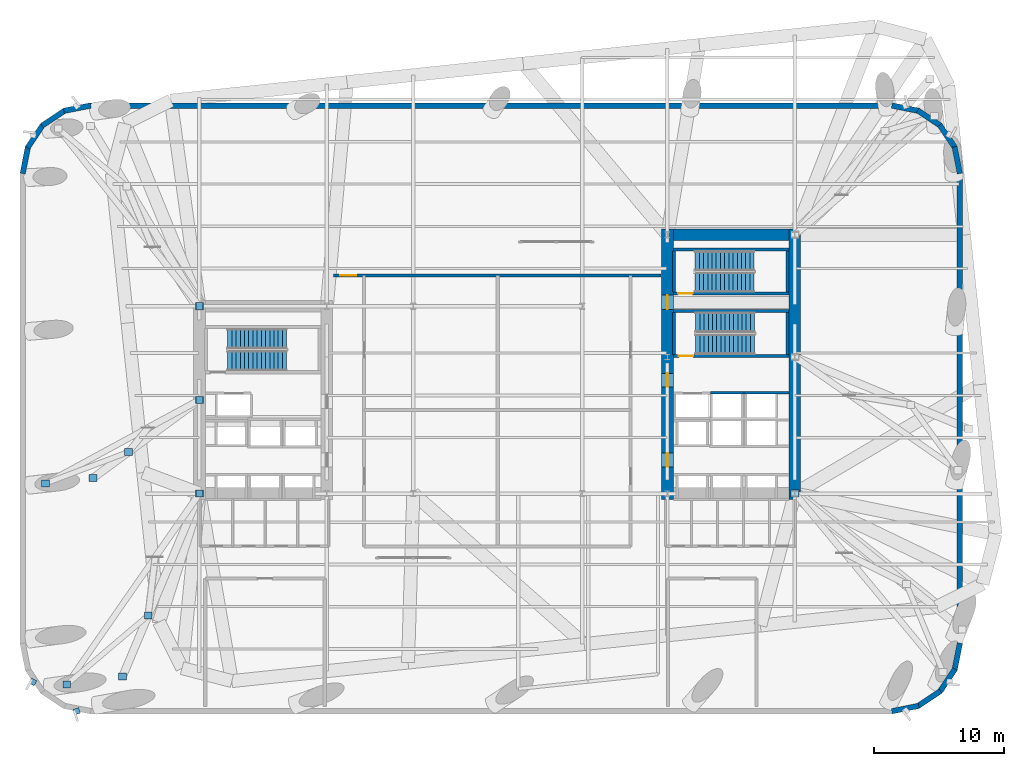
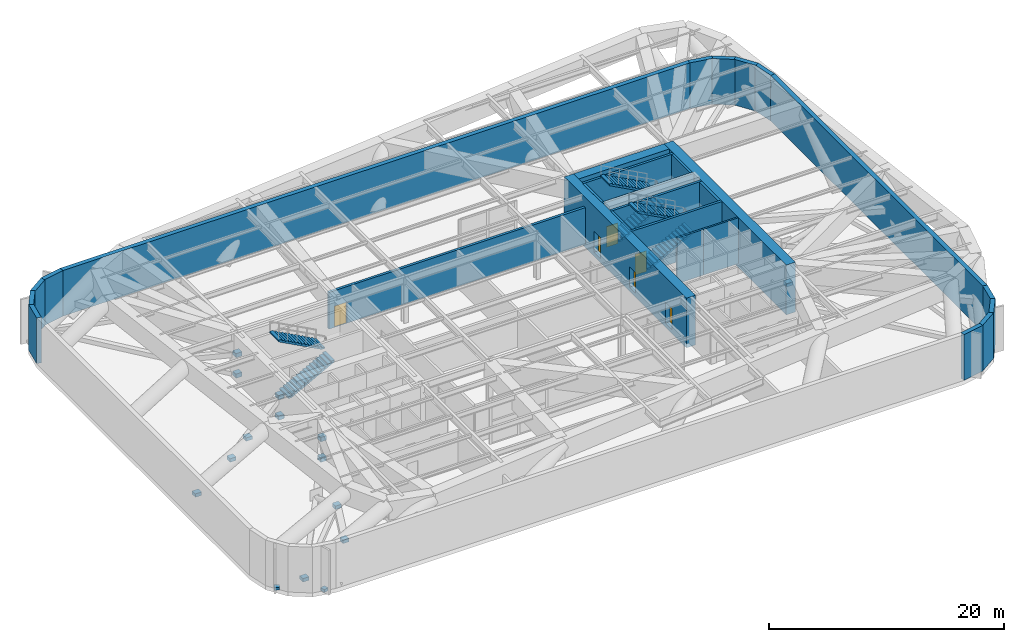
# One storey, part 10 of 16: 28 walls, 21 discrete accessories, 6 doors, 6 stair flights, 6 openings, 3 elements without a shape of their own.
"""IFC4 building model written with IfcOpenShell, lengths in metres."""

from ifc_helpers import new_model, si_unit, direction, frame, frame_2d, origin, origin_2d, place, context, subcontext, project, spatial, polyline, rectangle, outline, extrude, material, layer, layer_set, type_object, element, fill, aggregate, save


model = new_model("IFC4")

# Units and contexts
model_context = context("Model", 3, precision=1e-05, world=origin(), true_north=direction((0.0, 1.0)))
body_context = subcontext(model_context, "Body", "Model", "MODEL_VIEW")
ifc_project = project(units=[si_unit("LENGTHUNIT", "METRE"), si_unit("AREAUNIT", "SQUARE_METRE"), si_unit("VOLUMEUNIT", "CUBIC_METRE"), si_unit("PLANEANGLEUNIT", "RADIAN"), si_unit("MASSUNIT", "GRAM", prefix="KILO")], contexts=[model_context])

# Site, building, storey
site_placement = place(None, origin())
site = spatial("IfcSite", under=ifc_project, at=site_placement, CompositionType="ELEMENT")
building_placement = place(site_placement, origin())
building = spatial("IfcBuilding", under=site, at=building_placement, Name="Kolvaren Arena Tower", CompositionType="ELEMENT")
storey_placement = place(building_placement, frame((0.0, 0.0, 94.5)))
storey = spatial("IfcBuildingStorey", under=building, at=storey_placement, Name="L21", CompositionType="ELEMENT", Elevation=94.5)

# Wall, openings, doors
ifc_material_1 = material(Name="Concrete 80 MPa", Category="concrete")
ifc_layer_1 = layer(ifc_material_1, 0.89990234375)
ifc_layer_set_1 = layer_set([ifc_layer_1], Name="Concrete 80 MPa")
wall_type_1 = type_object("IfcWallType", Name="CWALL-900", PredefinedType="SHEAR", material=ifc_layer_set_1)
wall_1_placement = place(storey_placement, frame((50.550048828125, 19.0, -0.419921875), z_axis=(0.0, 0.0, 1.0), x_axis=(0.0, 1.0, 0.0)))
wall_1 = element("IfcWall", 1, at=wall_1_placement, inside=storey, type_object=wall_type_1, Name="Core Shear Wall EC-WEST (L21)", PredefinedType="SHEAR", context=body_context, shape_type="SweptSolid", body=[
    extrude(rectangle(XDim=20.800048828125, YDim=0.89990234375, at=frame_2d((10.39990234375, 0.0))), origin(), (0.0, 0.0, 1.0), 5.169921875),
])
opening_1_placement = place(wall_1_placement, frame((2.5, 0.0, 0.419921875)))
opening_1 = element("IfcOpeningElement", 2, at=opening_1_placement, cuts=wall_1, Name="Opening D04", PredefinedType="OPENING", context=body_context, shape_type="SweptSolid", body=[
    extrude(rectangle(XDim=1.050048828125, YDim=2.14990234375, at=frame_2d((0.52490234375, 1.074951171875))), frame((0.0, 0.4599609375, 0.0), z_axis=(0.0, -1.0, 0.0), x_axis=(1.0, 0.0, 0.0)), (0.0, 0.0, 1.0), 0.919921875),
])
opening_2_placement = place(wall_1_placement, frame((8.64990234375, 0.0, 0.419921875)))
opening_2 = element("IfcOpeningElement", 3, at=opening_2_placement, cuts=wall_1, Name="Opening D04", PredefinedType="OPENING", context=body_context, shape_type="SweptSolid", body=[
    extrude(rectangle(XDim=1.050048828125, YDim=2.14990234375, at=frame_2d((0.52490234375, 1.074951171875))), frame((0.0, 0.4599609375, 0.0), z_axis=(0.0, -1.0, 0.0), x_axis=(1.0, 0.0, 0.0)), (0.0, 0.0, 1.0), 0.919921875),
])
opening_3_placement = place(wall_1_placement, frame((14.6201171875, 0.0, 0.419921875)))
opening_3 = element("IfcOpeningElement", 4, at=opening_3_placement, cuts=wall_1, Name="Opening D03", PredefinedType="OPENING", context=body_context, shape_type="SweptSolid", body=[
    extrude(rectangle(XDim=1.10009765625, YDim=2.14990234375, at=frame_2d((0.550048828125, 1.074951171875))), frame((0.0, 0.4599609375, 0.0), z_axis=(0.0, -1.0, 0.0), x_axis=(1.0, 0.0, 0.0)), (0.0, 0.0, 1.0), 0.919921875),
])
ifc_material_2 = material(Name="Fire-rated steel lobby door", Category="steel")
door_type_1 = type_object("IfcDoorType", Name="DOOR-FF-105", OperationType="NOTDEFINED", PredefinedType="DOOR", material=ifc_material_2)
door_1_placement = place(opening_1_placement, origin())
door_1 = element("IfcDoor", 5, at=door_1_placement, inside=storey, type_object=door_type_1, Name="East Lift Lobby Fire Door (L21)", OperationType="SINGLE_SWING_RIGHT", OverallHeight=2.14990234375, OverallWidth=1.050048828125, PredefinedType="DOOR", context=body_context, shape_type="SweptSolid", body=[
    extrude(rectangle(XDim=1.050048828125, YDim=2.14990234375, at=frame_2d((0.52490234375, 1.074951171875))), frame((0.0, 0.02490234375, 0.0), z_axis=(0.0, -1.0, 0.0), x_axis=(1.0, 0.0, 0.0)), (0.0, 0.0, 1.0), 0.050048828125),
])
fill(opening_1, door_1)
door_2_placement = place(opening_2_placement, origin())
door_2 = element("IfcDoor", 6, at=door_2_placement, inside=storey, type_object=door_type_1, Name="East Firefighter Vestibule Door (L21)", OperationType="SINGLE_SWING_LEFT", OverallHeight=2.14990234375, OverallWidth=1.050048828125, PredefinedType="DOOR", context=body_context, shape_type="SweptSolid", body=[
    extrude(rectangle(XDim=1.050048828125, YDim=2.14990234375, at=frame_2d((0.52490234375, 1.074951171875))), frame((0.0, 0.02490234375, 0.0), z_axis=(0.0, -1.0, 0.0), x_axis=(1.0, 0.0, 0.0)), (0.0, 0.0, 1.0), 0.050048828125),
])
fill(opening_2, door_2)
ifc_material_3 = material(Name="Fire-rated steel exit stair door", Category="steel")
door_type_2 = type_object("IfcDoorType", Name="DOOR-ST-110", OperationType="NOTDEFINED", PredefinedType="DOOR", material=ifc_material_3)
door_3_placement = place(opening_3_placement, origin())
door_3 = element("IfcDoor", 7, at=door_3_placement, inside=storey, type_object=door_type_2, Name="Stair ST-E2 Vestibule Fire Door (L21)", OperationType="SINGLE_SWING_LEFT", OverallHeight=2.14990234375, OverallWidth=1.10009765625, PredefinedType="DOOR", context=body_context, shape_type="SweptSolid", body=[
    extrude(rectangle(XDim=1.10009765625, YDim=2.14990234375, at=frame_2d((0.550048828125, 1.074951171875))), frame((0.0, 0.02490234375, 0.0), z_axis=(0.0, -1.0, 0.0), x_axis=(1.0, 0.0, 0.0)), (0.0, 0.0, 1.0), 0.050048828125),
])
fill(opening_3, door_3)

# Walls
wall_2_placement = place(storey_placement, frame((60.35009765625, 19.0, -0.419921875), z_axis=(0.0, 0.0, 1.0), x_axis=(0.0, 1.0, 0.0)))
element("IfcWall", 8, at=wall_2_placement, inside=storey, type_object=wall_type_1, Name="Core Shear Wall EC-EAST (L21)", PredefinedType="SHEAR", context=body_context, shape_type="SweptSolid", body=[
    extrude(rectangle(XDim=20.800048828125, YDim=0.89990234375, at=frame_2d((10.39990234375, 0.0))), origin(), (0.0, 0.0, 1.0), 5.169921875),
])
wall_3_placement = place(storey_placement, frame((51.0, 39.35009765625, -0.419921875), z_axis=(0.0, 0.0, 1.0), x_axis=(1.0, 0.0, 0.0)))
element("IfcWall", 9, at=wall_3_placement, inside=storey, type_object=wall_type_1, Name="Core Shear Wall EC-NORTH (L21)", PredefinedType="SHEAR", context=body_context, shape_type="SweptSolid", body=[
    extrude(rectangle(XDim=8.89990234375, YDim=0.89990234375, at=frame_2d((4.449951171875, 0.0))), origin(), (0.0, 0.0, 1.0), 5.169921875),
])
ifc_material_4 = material(Name="Precast concrete C50/60", Category="concrete")
ifc_layer_2 = layer(ifc_material_4, 0.419921875)
ifc_layer_set_2 = layer_set([ifc_layer_2], Name="Precast concrete C50/60")
wall_type_2 = type_object("IfcWallType", Name="EXT-PIER1", PredefinedType="SOLIDWALL", material=ifc_layer_set_2)
for number, where, z_axis, x_axis, name in (
    (10, (69.87548828125, 3.1171875, 0.0), (0.0, 0.0, 1.0), (-0.9807762837, -0.195135546048, 0.0), "Exterior Precast Masonry-Frame Wall (L21)"),
    (11, (71.5517578125, 4.256103515625, 0.0), (0.0, 0.0, 1.0), (-0.831515102434, -0.555502146192, 0.0), "Exterior Precast Masonry-Frame Wall (L21)"),
    (12, (72.664306640625, 5.9501953125, 0.0), (0.0, 0.0, 1.0), (-0.555502146192, -0.831515102434, 0.0), "Exterior Precast Masonry-Frame Wall (L21)"),
    (13, (73.0439453125, 7.94091796875, 0.0), (0.0, 0.0, 1.0), (-0.195135546048, -0.9807762837, 0.0), "Exterior Precast Masonry-Frame Wall (L21)"),
):
    element("IfcWall", number, at=place(storey_placement, frame(where, z_axis=z_axis, x_axis=x_axis)), inside=storey, type_object=wall_type_2, Name=name, PredefinedType="SOLIDWALL", context=body_context, shape_type="SweptSolid", body=[
        extrude(rectangle(XDim=2.10693359375, YDim=0.419921875, at=frame_2d((1.053466796875, 0.0))), origin(), (0.0, 0.0, 1.0), 4.75),
    ])
wall_4_placement = place(storey_placement, frame((73.0400390625, 44.10009765625, 0.0), z_axis=(0.0, 0.0, 1.0), x_axis=(0.0, -1.0, 0.0)))
element("IfcWall", 14, at=wall_4_placement, inside=storey, type_object=wall_type_2, Name="Exterior Precast Masonry-Frame Wall (L21)", PredefinedType="SOLIDWALL", context=body_context, shape_type="SweptSolid", body=[
    extrude(rectangle(XDim=36.2001953125, YDim=0.419921875, at=frame_2d((18.10009765625, 0.0))), origin(), (0.0, 0.0, 1.0), 4.75),
])
for number, where, z_axis, x_axis, name in (
    (15, (72.6328125, 46.12548828125, 0.0), (0.0, 0.0, 1.0), (0.195135546048, -0.9807762837, 0.0), "Exterior Precast Masonry-Frame Wall (L21)"),
    (16, (71.493896484375, 47.8017578125, 0.0), (0.0, 0.0, 1.0), (0.555502146192, -0.831515102434, 0.0), "Exterior Precast Masonry-Frame Wall (L21)"),
    (17, (69.7998046875, 48.914306640625, 0.0), (0.0, 0.0, 1.0), (0.831515102434, -0.555502146192, 0.0), "Exterior Precast Masonry-Frame Wall (L21)"),
    (18, (67.80908203125, 49.2939453125, 0.0), (0.0, 0.0, 1.0), (0.9807762837, -0.195135546048, 0.0), "Exterior Precast Masonry-Frame Wall (L21)"),
):
    element("IfcWall", number, at=place(storey_placement, frame(where, z_axis=z_axis, x_axis=x_axis)), inside=storey, type_object=wall_type_2, Name=name, PredefinedType="SOLIDWALL", context=body_context, shape_type="SweptSolid", body=[
        extrude(rectangle(XDim=2.10693359375, YDim=0.419921875, at=frame_2d((1.053466796875, 0.0))), origin(), (0.0, 0.0, 1.0), 4.75),
    ])
wall_5_placement = place(storey_placement, frame((6.14990234375, 49.2900390625, 0.0), z_axis=(0.0, 0.0, 1.0), x_axis=(1.0, 0.0, 0.0)))
element("IfcWall", 19, at=wall_5_placement, inside=storey, type_object=wall_type_2, Name="Exterior Precast Masonry-Frame Wall (L21)", PredefinedType="SOLIDWALL", context=body_context, shape_type="SweptSolid", body=[
    extrude(rectangle(XDim=61.7001953125, YDim=0.419921875, at=frame_2d((30.85009765625, 0.0))), origin(), (0.0, 0.0, 1.0), 4.75),
])
for number, where, z_axis, x_axis, name in (
    (20, (4.12451171875, 48.8828125, 0.0), (0.0, 0.0, 1.0), (0.9807762837, 0.195135546048, 0.0), "Exterior Precast Masonry-Frame Wall (L21)"),
    (21, (2.4482421875, 47.743896484375, 0.0), (0.0, 0.0, 1.0), (0.831515102434, 0.555502146192, 0.0), "Exterior Precast Masonry-Frame Wall (L21)"),
    (22, (1.335693359375, 46.0498046875, 0.0), (0.0, 0.0, 1.0), (0.555502146192, 0.831515102434, 0.0), "Exterior Precast Masonry-Frame Wall (L21)"),
    (23, (0.9560546875, 44.05908203125, 0.0), (0.0, 0.0, 1.0), (0.195135546048, 0.9807762837, 0.0), "Exterior Precast Masonry-Frame Wall (L21)"),
):
    element("IfcWall", number, at=place(storey_placement, frame(where, z_axis=z_axis, x_axis=x_axis)), inside=storey, type_object=wall_type_2, Name=name, PredefinedType="SOLIDWALL", context=body_context, shape_type="SweptSolid", body=[
        extrude(rectangle(XDim=2.10693359375, YDim=0.419921875, at=frame_2d((1.053466796875, 0.0))), origin(), (0.0, 0.0, 1.0), 4.75),
    ])

# Wall, opening, door
ifc_material_5 = material(Name="Concrete 45 MPa", Category="concrete")
ifc_layer_3 = layer(ifc_material_5, 0.25)
ifc_layer_set_3 = layer_set([ifc_layer_3], Name="Concrete 45 MPa")
wall_type_3 = type_object("IfcWallType", Name="SHAFT-250", PredefinedType="SOLIDWALL", material=ifc_layer_set_3)
wall_6_placement = place(storey_placement, frame((59.89990234375, 30.030029296875, 0.0), z_axis=(0.0, 0.0, 1.0), x_axis=(-1.0, 0.0, 0.0)))
wall_6 = element("IfcWall", 24, at=wall_6_placement, inside=storey, type_object=wall_type_3, Name="Core Shaft Wall (L21)", PredefinedType="SOLIDWALL", context=body_context, shape_type="SweptSolid", body=[
    extrude(rectangle(XDim=8.89990234375, YDim=0.239990234375, at=frame_2d((4.449951171875, 0.0))), origin(), (0.0, 0.0, 1.0), 4.75),
])
opening_4_placement = place(wall_6_placement, frame((7.3798828125, 0.0, 0.0)))
opening_4 = element("IfcOpeningElement", 25, at=opening_4_placement, cuts=wall_6, Name="Opening D03", PredefinedType="OPENING", context=body_context, shape_type="SweptSolid", body=[
    extrude(rectangle(XDim=1.10009765625, YDim=2.14990234375, at=frame_2d((0.550048828125, 1.074951171875))), frame((0.0, 0.1298828125, 0.0), z_axis=(0.0, -1.0, 0.0), x_axis=(1.0, 0.0, 0.0)), (0.0, 0.0, 1.0), 0.260009765625),
])
door_4_placement = place(opening_4_placement, origin())
door_4 = element("IfcDoor", 26, at=door_4_placement, inside=storey, type_object=door_type_2, Name="Stair ST-E1 Fire Door (L21)", OperationType="SINGLE_SWING_LEFT", OverallHeight=2.14990234375, OverallWidth=1.10009765625, PredefinedType="DOOR", context=body_context, shape_type="SweptSolid", body=[
    extrude(rectangle(XDim=1.10009765625, YDim=2.14990234375, at=frame_2d((0.550048828125, 1.074951171875))), frame((0.0, 0.02490234375, 0.0), z_axis=(0.0, -1.0, 0.0), x_axis=(1.0, 0.0, 0.0)), (0.0, 0.0, 1.0), 0.050048828125),
])
fill(opening_4, door_4)

# Walls
wall_7_placement = place(storey_placement, frame((51.0, 33.5, 0.0), z_axis=(0.0, 0.0, 1.0), x_axis=(1.0, 0.0, 0.0)))
element("IfcWall", 27, at=wall_7_placement, inside=storey, type_object=wall_type_3, Name="Core Shaft Wall (L21)", PredefinedType="SOLIDWALL", context=body_context, shape_type="SweptSolid", body=[
    extrude(rectangle(XDim=8.89990234375, YDim=0.239990234375, at=frame_2d((4.449951171875, 0.0))), origin(), (0.0, 0.0, 1.0), 4.75),
])
for number, where, z_axis, x_axis, name in (
    (28, (51.06005859375, 30.14990234375, 0.0), (0.0, 0.0, 1.0), (0.0, 1.0, 0.0), "Core Shaft Wall (L21)"),
    (29, (59.780029296875, 30.14990234375, 0.0), (0.0, 0.0, 1.0), (0.0, 1.0, 0.0), "Core Shaft Wall (L21)"),
):
    element("IfcWall", number, at=place(storey_placement, frame(where, z_axis=z_axis, x_axis=x_axis)), inside=storey, type_object=wall_type_3, Name=name, PredefinedType="SOLIDWALL", context=body_context, shape_type="SweptSolid", body=[
        extrude(rectangle(XDim=3.22998046875, YDim=0.239990234375, at=frame_2d((1.614990234375, 0.0))), origin(), (0.0, 0.0, 1.0), 4.75),
    ])

# Wall, opening, door
wall_8_placement = place(storey_placement, frame((59.89990234375, 34.830078125, 0.0), z_axis=(0.0, 0.0, 1.0), x_axis=(-1.0, 0.0, 0.0)))
wall_8 = element("IfcWall", 30, at=wall_8_placement, inside=storey, type_object=wall_type_3, Name="Core Shaft Wall (L21)", PredefinedType="SOLIDWALL", context=body_context, shape_type="SweptSolid", body=[
    extrude(rectangle(XDim=8.89990234375, YDim=0.239990234375, at=frame_2d((4.449951171875, 0.0))), origin(), (0.0, 0.0, 1.0), 4.75),
])
opening_5_placement = place(wall_8_placement, frame((7.419921875, 0.0, 0.0)))
opening_5 = element("IfcOpeningElement", 31, at=opening_5_placement, cuts=wall_8, Name="Opening D03", PredefinedType="OPENING", context=body_context, shape_type="SweptSolid", body=[
    extrude(rectangle(XDim=1.10009765625, YDim=2.14990234375, at=frame_2d((0.550048828125, 1.074951171875))), frame((0.0, 0.1298828125, 0.0), z_axis=(0.0, -1.0, 0.0), x_axis=(1.0, 0.0, 0.0)), (0.0, 0.0, 1.0), 0.260009765625),
])
door_5_placement = place(opening_5_placement, origin())
door_5 = element("IfcDoor", 32, at=door_5_placement, inside=storey, type_object=door_type_2, Name="Stair ST-E2 Fire Door (L21)", OperationType="SINGLE_SWING_LEFT", OverallHeight=2.14990234375, OverallWidth=1.10009765625, PredefinedType="DOOR", context=body_context, shape_type="SweptSolid", body=[
    extrude(rectangle(XDim=1.10009765625, YDim=2.14990234375, at=frame_2d((0.550048828125, 1.074951171875))), frame((0.0, 0.02490234375, 0.0), z_axis=(0.0, -1.0, 0.0), x_axis=(1.0, 0.0, 0.0)), (0.0, 0.0, 1.0), 0.050048828125),
])
fill(opening_5, door_5)

# Walls
wall_9_placement = place(storey_placement, frame((51.0, 38.219970703125, 0.0), z_axis=(0.0, 0.0, 1.0), x_axis=(1.0, 0.0, 0.0)))
element("IfcWall", 33, at=wall_9_placement, inside=storey, type_object=wall_type_3, Name="Core Shaft Wall (L21)", PredefinedType="SOLIDWALL", context=body_context, shape_type="SweptSolid", body=[
    extrude(rectangle(XDim=8.89990234375, YDim=0.239990234375, at=frame_2d((4.449951171875, 0.0))), origin(), (0.0, 0.0, 1.0), 4.75),
])
for number, where, z_axis, x_axis, name in (
    (34, (51.06005859375, 34.949951171875, 0.0), (0.0, 0.0, 1.0), (0.0, 1.0, 0.0), "Core Shaft Wall (L21)"),
    (35, (59.780029296875, 34.949951171875, 0.0), (0.0, 0.0, 1.0), (0.0, 1.0, 0.0), "Core Shaft Wall (L21)"),
):
    element("IfcWall", number, at=place(storey_placement, frame(where, z_axis=z_axis, x_axis=x_axis)), inside=storey, type_object=wall_type_3, Name=name, PredefinedType="SOLIDWALL", context=body_context, shape_type="SweptSolid", body=[
        extrude(rectangle(XDim=3.150146484375, YDim=0.239990234375, at=frame_2d((1.5751953125, 0.0))), origin(), (0.0, 0.0, 1.0), 4.75),
    ])
wall_10_placement = place(storey_placement, frame((53.864990234375, 27.205078125, 0.0), z_axis=(0.0, 0.0, 1.0), x_axis=(1.0, 0.0, 0.0)))
element("IfcWall", 36, at=wall_10_placement, inside=storey, type_object=wall_type_3, Name="Core Shaft Wall (L21)", PredefinedType="SOLIDWALL", context=body_context, shape_type="SweptSolid", body=[
    extrude(rectangle(XDim=2.574951171875, YDim=0.179931640625, at=frame_2d((1.28759765625, 0.0))), origin(), (0.0, 0.0, 1.0), 4.75),
])
wall_11_placement = place(storey_placement, frame((56.43994140625, 27.205078125, 0.0), z_axis=(0.0, 0.0, 1.0), x_axis=(1.0, 0.0, 0.0)))
element("IfcWall", 37, at=wall_11_placement, inside=storey, type_object=wall_type_3, Name="Core Shaft Wall (L21)", PredefinedType="SOLIDWALL", context=body_context, shape_type="SweptSolid", body=[
    extrude(rectangle(XDim=3.4599609375, YDim=0.179931640625, at=frame_2d((1.72998046875, 0.0))), origin(), (0.0, 0.0, 1.0), 4.75),
])

# Wall, opening, door
wall_12_placement = place(storey_placement, frame((24.85009765625, 36.219970703125, 0.0), z_axis=(0.0, 0.0, 1.0), x_axis=(1.0, 0.0, 0.0)))
wall_12 = element("IfcWall", 38, at=wall_12_placement, inside=storey, type_object=wall_type_3, Name="Interior Partition Wall (L21)", PredefinedType="SOLIDWALL", context=body_context, shape_type="SweptSolid", body=[
    extrude(rectangle(XDim=25.199951171875, YDim=0.25, at=frame_2d((12.60009765625, 0.0))), origin(), (0.0, 0.0, 1.0), 3.81005859375),
])
opening_6_placement = place(wall_12_placement, frame((0.550048828125, 0.0, 0.0)))
opening_6 = element("IfcOpeningElement", 39, at=opening_6_placement, cuts=wall_12, Name="Opening D08", PredefinedType="OPENING", context=body_context, shape_type="SweptSolid", body=[
    extrude(rectangle(XDim=1.199951171875, YDim=2.199951171875, at=frame_2d((0.60009765625, 1.10009765625))), frame((0.0, 0.135009765625, 0.0), z_axis=(0.0, -1.0, 0.0), x_axis=(1.0, 0.0, 0.0)), (0.0, 0.0, 1.0), 0.27001953125),
])
ifc_material_6 = material(Name="Fire-rated steel plant room door", Category="steel")
door_type_3 = type_object("IfcDoorType", Name="DOOR-PL-120", OperationType="NOTDEFINED", PredefinedType="DOOR", material=ifc_material_6)
door_6_placement = place(opening_6_placement, origin())
door_6 = element("IfcDoor", 40, at=door_6_placement, inside=storey, type_object=door_type_3, Name="Smoke Fan Plant Door (L21)", OperationType="SINGLE_SWING_LEFT", OverallHeight=2.199951171875, OverallWidth=1.199951171875, PredefinedType="DOOR", context=body_context, shape_type="SweptSolid", body=[
    extrude(rectangle(XDim=1.199951171875, YDim=2.199951171875, at=frame_2d((0.60009765625, 1.10009765625))), frame((0.0, 0.02490234375, 0.0), z_axis=(0.0, -1.0, 0.0), x_axis=(1.0, 0.0, 0.0)), (0.0, 0.0, 1.0), 0.050048828125),
])
fill(opening_6, door_6)

# Stair, stair flights
stair_type_1 = type_object("IfcStairType", Name="STAIR-CORE-150", PredefinedType="HALF_TURN_STAIR", material=ifc_material_5)
stair_1_placement = place(storey_placement, origin())
stair_1 = element("IfcStair", 41, at=stair_1_placement, inside=storey, type_object=stair_type_1, Name="L21 ST-E2", PredefinedType="HALF_TURN_STAIR")
stair_flight_type_1 = type_object("IfcStairFlightType", Name="FLT-150", PredefinedType="STRAIGHT", material=ifc_material_5)
stair_flight_1_placement = place(storey_placement, frame((52.679931640625, 35.699951171875, 0.0), z_axis=(0.0, 0.0, 1.0), x_axis=(1.0, 0.0, 0.0)))
stair_flight_1 = element("IfcStairFlight", 42, at=stair_flight_1_placement, type_object=stair_flight_type_1, Name="ST-E2 flight 1", NumberOfRisers=15, NumberOfTreads=14, PredefinedType="STRAIGHT", RiserHeight=0.173333333, TreadLength=0.324, context=body_context, shape_type="SweptSolid", body=[
    extrude(outline(polyline([(0.0, 0.0), (0.0, 0.17333984375), (0.323974609375, 0.17333984375), (0.323974609375, 0.3466796875), (0.64794921875, 0.3466796875), (0.64794921875, 0.52001953125), (0.971923828125, 0.52001953125), (0.971923828125, 0.693359375), (1.2958984375, 0.693359375), (1.2958984375, 0.86669921875), (1.6201171875, 0.86669921875), (1.6201171875, 1.0400390625), (1.944091796875, 1.0400390625), (1.944091796875, 1.21337890625), (2.26806640625, 1.21337890625), (2.26806640625, 1.38671875), (2.592041015625, 1.38671875), (2.592041015625, 1.56005859375), (2.916015625, 1.56005859375), (2.916015625, 1.7333984375), (3.239990234375, 1.7333984375), (3.239990234375, 1.90673828125), (3.56396484375, 1.90673828125), (3.56396484375, 2.080078125), (3.887939453125, 2.080078125), (3.887939453125, 2.25341796875), (4.2119140625, 2.25341796875), (4.2119140625, 2.4267578125), (4.535888671875, 2.4267578125), (4.535888671875, 2.60009765625), (4.535888671875, 2.256591796875), (0.31787109375, 0.0), (0.0, 0.0)])), frame((0.0, 0.75, 0.0), z_axis=(0.0, -1.0, 0.0), x_axis=(1.0, 0.0, 0.0)), (0.0, 0.0, 1.0), 1.5),
])
stair_flight_2_placement = place(storey_placement, frame((57.216064453125, 37.35009765625, 2.60009765625), z_axis=(0.0, 0.0, 1.0), x_axis=(-1.0, 0.0, 0.0)))
stair_flight_2 = element("IfcStairFlight", 43, at=stair_flight_2_placement, type_object=stair_flight_type_1, Name="ST-E2 flight 2", NumberOfRisers=15, NumberOfTreads=14, PredefinedType="STRAIGHT", RiserHeight=0.173333333, TreadLength=0.324, context=body_context, shape_type="SweptSolid", body=[
    extrude(outline(polyline([(0.0, 0.0), (0.0, 0.17333984375), (0.323974609375, 0.17333984375), (0.323974609375, 0.3466796875), (0.64794921875, 0.3466796875), (0.64794921875, 0.52001953125), (0.971923828125, 0.52001953125), (0.971923828125, 0.693359375), (1.2958984375, 0.693359375), (1.2958984375, 0.86669921875), (1.6201171875, 0.86669921875), (1.6201171875, 1.0400390625), (1.944091796875, 1.0400390625), (1.944091796875, 1.21337890625), (2.26806640625, 1.21337890625), (2.26806640625, 1.38671875), (2.592041015625, 1.38671875), (2.592041015625, 1.56005859375), (2.916015625, 1.56005859375), (2.916015625, 1.7333984375), (3.239990234375, 1.7333984375), (3.239990234375, 1.90673828125), (3.56396484375, 1.90673828125), (3.56396484375, 2.080078125), (3.887939453125, 2.080078125), (3.887939453125, 2.25341796875), (4.2119140625, 2.25341796875), (4.2119140625, 2.4267578125), (4.535888671875, 2.4267578125), (4.535888671875, 2.60009765625), (4.535888671875, 2.256591796875), (0.31787109375, 0.0), (0.0, 0.0)])), frame((0.0, 0.75, 0.0), z_axis=(0.0, -1.0, 0.0), x_axis=(1.0, 0.0, 0.0)), (0.0, 0.0, 1.0), 1.5),
])
aggregate(stair_1, [stair_flight_1, stair_flight_2])

stair_type_2 = type_object("IfcStairType", Name="STAIR-CORE-165", PredefinedType="HALF_TURN_STAIR", material=ifc_material_5)
stair_2_placement = place(storey_placement, origin())
stair_2 = element("IfcStair", 44, at=stair_2_placement, inside=storey, type_object=stair_type_2, Name="L21 ST-W1", PredefinedType="HALF_TURN_STAIR")
stair_flight_type_2 = type_object("IfcStairFlightType", Name="FLT-165", PredefinedType="STRAIGHT", material=ifc_material_5)
stair_flight_3_placement = place(storey_placement, frame((16.719970703125, 29.669921875, 0.0), z_axis=(0.0, 0.0, 1.0), x_axis=(1.0, 0.0, 0.0)))
stair_flight_3 = element("IfcStairFlight", 45, at=stair_flight_3_placement, type_object=stair_flight_type_2, Name="ST-W1 flight 1", NumberOfRisers=15, NumberOfTreads=14, PredefinedType="STRAIGHT", RiserHeight=0.173333333, TreadLength=0.324, context=body_context, shape_type="SweptSolid", body=[
    extrude(outline(polyline([(0.0, 0.0), (0.0, 0.17333984375), (0.323974609375, 0.17333984375), (0.323974609375, 0.3466796875), (0.64794921875, 0.3466796875), (0.64794921875, 0.52001953125), (0.971923828125, 0.52001953125), (0.971923828125, 0.693359375), (1.2958984375, 0.693359375), (1.2958984375, 0.86669921875), (1.6201171875, 0.86669921875), (1.6201171875, 1.0400390625), (1.944091796875, 1.0400390625), (1.944091796875, 1.21337890625), (2.26806640625, 1.21337890625), (2.26806640625, 1.38671875), (2.592041015625, 1.38671875), (2.592041015625, 1.56005859375), (2.916015625, 1.56005859375), (2.916015625, 1.7333984375), (3.239990234375, 1.7333984375), (3.239990234375, 1.90673828125), (3.56396484375, 1.90673828125), (3.56396484375, 2.080078125), (3.887939453125, 2.080078125), (3.887939453125, 2.25341796875), (4.2119140625, 2.25341796875), (4.2119140625, 2.4267578125), (4.535888671875, 2.4267578125), (4.535888671875, 2.60009765625), (4.535888671875, 2.256591796875), (0.31787109375, 0.0), (0.0, 0.0)])), frame((0.0, 0.77001953125, 0.0), z_axis=(0.0, -1.0, 0.0), x_axis=(1.0, 0.0, 0.0)), (0.0, 0.0, 1.0), 1.5400390625),
])
stair_flight_4_placement = place(storey_placement, frame((21.256103515625, 31.360107421875, 2.60009765625), z_axis=(0.0, 0.0, 1.0), x_axis=(-1.0, 0.0, 0.0)))
stair_flight_4 = element("IfcStairFlight", 46, at=stair_flight_4_placement, type_object=stair_flight_type_2, Name="ST-W1 flight 2", NumberOfRisers=15, NumberOfTreads=14, PredefinedType="STRAIGHT", RiserHeight=0.173333333, TreadLength=0.324, context=body_context, shape_type="SweptSolid", body=[
    extrude(outline(polyline([(0.0, 0.0), (0.0, 0.17333984375), (0.323974609375, 0.17333984375), (0.323974609375, 0.3466796875), (0.64794921875, 0.3466796875), (0.64794921875, 0.52001953125), (0.971923828125, 0.52001953125), (0.971923828125, 0.693359375), (1.2958984375, 0.693359375), (1.2958984375, 0.86669921875), (1.6201171875, 0.86669921875), (1.6201171875, 1.0400390625), (1.944091796875, 1.0400390625), (1.944091796875, 1.21337890625), (2.26806640625, 1.21337890625), (2.26806640625, 1.38671875), (2.592041015625, 1.38671875), (2.592041015625, 1.56005859375), (2.916015625, 1.56005859375), (2.916015625, 1.7333984375), (3.239990234375, 1.7333984375), (3.239990234375, 1.90673828125), (3.56396484375, 1.90673828125), (3.56396484375, 2.080078125), (3.887939453125, 2.080078125), (3.887939453125, 2.25341796875), (4.2119140625, 2.25341796875), (4.2119140625, 2.4267578125), (4.535888671875, 2.4267578125), (4.535888671875, 2.60009765625), (4.535888671875, 2.256591796875), (0.31787109375, 0.0), (0.0, 0.0)])), frame((0.0, 0.77001953125, 0.0), z_axis=(0.0, -1.0, 0.0), x_axis=(1.0, 0.0, 0.0)), (0.0, 0.0, 1.0), 1.5400390625),
])
aggregate(stair_2, [stair_flight_3, stair_flight_4])

stair_3_placement = place(storey_placement, origin())
stair_3 = element("IfcStair", 47, at=stair_3_placement, inside=storey, type_object=stair_type_2, Name="L21 ST-E1", PredefinedType="HALF_TURN_STAIR")
stair_flight_5_placement = place(storey_placement, frame((52.719970703125, 30.919921875, 0.0), z_axis=(0.0, 0.0, 1.0), x_axis=(1.0, 0.0, 0.0)))
stair_flight_5 = element("IfcStairFlight", 48, at=stair_flight_5_placement, type_object=stair_flight_type_2, Name="ST-E1 flight 1", NumberOfRisers=15, NumberOfTreads=14, PredefinedType="STRAIGHT", RiserHeight=0.173333333, TreadLength=0.324, context=body_context, shape_type="SweptSolid", body=[
    extrude(outline(polyline([(0.0, 0.0), (0.0, 0.17333984375), (0.323974609375, 0.17333984375), (0.323974609375, 0.3466796875), (0.64794921875, 0.3466796875), (0.64794921875, 0.52001953125), (0.971923828125, 0.52001953125), (0.971923828125, 0.693359375), (1.2958984375, 0.693359375), (1.2958984375, 0.86669921875), (1.6201171875, 0.86669921875), (1.6201171875, 1.0400390625), (1.944091796875, 1.0400390625), (1.944091796875, 1.21337890625), (2.26806640625, 1.21337890625), (2.26806640625, 1.38671875), (2.592041015625, 1.38671875), (2.592041015625, 1.56005859375), (2.916015625, 1.56005859375), (2.916015625, 1.7333984375), (3.239990234375, 1.7333984375), (3.239990234375, 1.90673828125), (3.56396484375, 1.90673828125), (3.56396484375, 2.080078125), (3.887939453125, 2.080078125), (3.887939453125, 2.25341796875), (4.2119140625, 2.25341796875), (4.2119140625, 2.4267578125), (4.535888671875, 2.4267578125), (4.535888671875, 2.60009765625), (4.535888671875, 2.256591796875), (0.31787109375, 0.0), (0.0, 0.0)])), frame((0.0, 0.77001953125, 0.0), z_axis=(0.0, -1.0, 0.0), x_axis=(1.0, 0.0, 0.0)), (0.0, 0.0, 1.0), 1.5400390625),
])
stair_flight_6_placement = place(storey_placement, frame((57.256103515625, 32.610107421875, 2.60009765625), z_axis=(0.0, 0.0, 1.0), x_axis=(-1.0, 0.0, 0.0)))
stair_flight_6 = element("IfcStairFlight", 49, at=stair_flight_6_placement, type_object=stair_flight_type_2, Name="ST-E1 flight 2", NumberOfRisers=15, NumberOfTreads=14, PredefinedType="STRAIGHT", RiserHeight=0.173333333, TreadLength=0.324, context=body_context, shape_type="SweptSolid", body=[
    extrude(outline(polyline([(0.0, 0.0), (0.0, 0.17333984375), (0.323974609375, 0.17333984375), (0.323974609375, 0.3466796875), (0.64794921875, 0.3466796875), (0.64794921875, 0.52001953125), (0.971923828125, 0.52001953125), (0.971923828125, 0.693359375), (1.2958984375, 0.693359375), (1.2958984375, 0.86669921875), (1.6201171875, 0.86669921875), (1.6201171875, 1.0400390625), (1.944091796875, 1.0400390625), (1.944091796875, 1.21337890625), (2.26806640625, 1.21337890625), (2.26806640625, 1.38671875), (2.592041015625, 1.38671875), (2.592041015625, 1.56005859375), (2.916015625, 1.56005859375), (2.916015625, 1.7333984375), (3.239990234375, 1.7333984375), (3.239990234375, 1.90673828125), (3.56396484375, 1.90673828125), (3.56396484375, 2.080078125), (3.887939453125, 2.080078125), (3.887939453125, 2.25341796875), (4.2119140625, 2.25341796875), (4.2119140625, 2.4267578125), (4.535888671875, 2.4267578125), (4.535888671875, 2.60009765625), (4.535888671875, 2.256591796875), (0.31787109375, 0.0), (0.0, 0.0)])), frame((0.0, 0.77001953125, 0.0), z_axis=(0.0, -1.0, 0.0), x_axis=(1.0, 0.0, 0.0)), (0.0, 0.0, 1.0), 1.5400390625),
])
aggregate(stair_3, [stair_flight_5, stair_flight_6])

# Discrete accessories
ifc_material_7 = material(Name="Stainless steel facade support bracket", Category="steel")
discrete_accessory_type_1 = type_object("IfcDiscreteAccessoryType", Name="ACC-BRKT-1", PredefinedType="BRACKET", material=ifc_material_7)
for number, where, z_axis, x_axis, name in (
    (50, (1.746337890625, 4.95751953125, 0.02001953125), (0.0, 0.0, 1.0), (-0.473348878368, -0.880875041846, 0.0), "Corner Fin Anchor Bracket (L21)"),
    (51, (5.11669921875, 2.70556640625, 0.02001953125), (0.0, 0.0, 1.0), (0.288174541455, -0.957577899524, 0.0), "Corner Fin Anchor Bracket (L21)"),
):
    element("IfcDiscreteAccessory", number, at=place(storey_placement, frame(where, z_axis=z_axis, x_axis=x_axis)), inside=storey, type_object=discrete_accessory_type_1, Name=name, PredefinedType="BRACKET", context=body_context, shape_type="SweptSolid", body=[
        extrude(rectangle(XDim=0.449951171875, YDim=0.449951171875, at=origin_2d()), origin(), (0.0, 0.0, 1.0), 0.300048828125),
    ])
ifc_material_8 = material(Name="Steel CSA G40.21 350W bolted gusset connection", Category="steel")
discrete_accessory_type_2 = type_object("IfcDiscreteAccessoryType", Name="ACC-CONN-1", PredefinedType="BRACKET", material=ifc_material_8)
for number, where, z_axis, x_axis, name in (
    (52, (14.550048828125, 19.449951171875, 2.2998046875), (0.0, 0.0, 1.0), (1.0, 0.0, 0.0), "Outrigger Gusset Connection 1-1 (L21)"),
    (53, (14.550048828125, 19.449951171875, 0.169921875), (0.0, 0.0, 1.0), (1.0, 0.0, 0.0), "Outrigger Gusset Connection 1-2 (L21)"),
    (54, (10.607666015625, 10.06396484375, 2.2998046875), (0.0, 0.0, 1.0), (1.0, 0.0, 0.0), "Outrigger Gusset Connection 1-3 (L21)"),
    (55, (8.63671875, 5.37109375, 2.2998046875), (0.0, 0.0, 1.0), (1.0, 0.0, 0.0), "Outrigger Gusset Connection 1-4 (L21)"),
    (56, (4.34326171875, 4.761474609375, 0.169921875), (0.0, 0.0, 1.0), (1.0, 0.0, 0.0), "Outrigger Gusset Connection 1-5 (L21)"),
    (57, (14.550048828125, 33.85009765625, 2.2998046875), (0.0, 0.0, 1.0), (1.0, 0.0, 0.0), "Outrigger Gusset Connection 2-1 (L21)"),
    (58, (14.550048828125, 33.85009765625, 0.169921875), (0.0, 0.0, 1.0), (1.0, 0.0, 0.0), "Outrigger Gusset Connection 2-2 (L21)"),
    (59, (60.35009765625, 19.449951171875, 2.2998046875), (0.0, 0.0, 1.0), (1.0, 0.0, 0.0), "Outrigger Gusset Connection 3-1 (L21)"),
    (60, (14.550048828125, 26.64990234375, 2.2998046875), (0.0, 0.0, 1.0), (1.0, 0.0, 0.0), "Outrigger Gusset Connection 5-1 (L21)"),
    (61, (14.550048828125, 26.64990234375, 0.169921875), (0.0, 0.0, 1.0), (1.0, 0.0, 0.0), "Outrigger Gusset Connection 5-2 (L21)"),
    (62, (9.0859375, 22.639892578125, 2.2998046875), (0.0, 0.0, 1.0), (1.0, 0.0, 0.0), "Outrigger Gusset Connection 5-3 (L21)"),
    (63, (6.35400390625, 20.635009765625, 2.2998046875), (0.0, 0.0, 1.0), (1.0, 0.0, 0.0), "Outrigger Gusset Connection 5-4 (L21)"),
    (64, (2.71533203125, 20.229736328125, 0.169921875), (0.0, 0.0, 1.0), (1.0, 0.0, 0.0), "Outrigger Gusset Connection 5-5 (L21)"),
):
    element("IfcDiscreteAccessory", number, at=place(storey_placement, frame(where, z_axis=z_axis, x_axis=x_axis)), inside=storey, type_object=discrete_accessory_type_2, Name=name, PredefinedType="BRACKET", context=body_context, shape_type="SweptSolid", body=[
        extrude(rectangle(XDim=0.60009765625, YDim=0.550048828125, at=origin_2d()), origin(), (0.0, 0.0, 1.0), 0.360107421875),
    ])
for number, where, z_axis, x_axis, name in (
    (65, (14.550048828125, 19.449951171875, 2.260009765625), (0.0, 0.0, 1.0), (1.0, 0.0, 0.0), "Core Wall Cast-In Embed Plate EP1 (L21)"),
    (66, (14.550048828125, 19.449951171875, 0.130126953125), (0.0, 0.0, 1.0), (1.0, 0.0, 0.0), "Core Wall Cast-In Embed Plate EP1 (L21)"),
    (67, (14.550048828125, 33.85009765625, 2.260009765625), (0.0, 0.0, 1.0), (1.0, 0.0, 0.0), "Core Wall Cast-In Embed Plate EP1 (L21)"),
    (68, (14.550048828125, 33.85009765625, 0.130126953125), (0.0, 0.0, 1.0), (1.0, 0.0, 0.0), "Core Wall Cast-In Embed Plate EP1 (L21)"),
    (69, (14.550048828125, 26.64990234375, 2.260009765625), (0.0, 0.0, 1.0), (1.0, 0.0, 0.0), "Core Wall Cast-In Embed Plate EP1 (L21)"),
    (70, (14.550048828125, 26.64990234375, 0.130126953125), (0.0, 0.0, 1.0), (1.0, 0.0, 0.0), "Core Wall Cast-In Embed Plate EP1 (L21)"),
):
    element("IfcDiscreteAccessory", number, at=place(storey_placement, frame(where, z_axis=z_axis, x_axis=x_axis)), inside=storey, type_object=discrete_accessory_type_2, Name=name, PredefinedType="BRACKET", context=body_context, shape_type="SweptSolid", body=[
        extrude(rectangle(XDim=0.56005859375, YDim=0.56005859375, at=origin_2d()), origin(), (0.0, 0.0, 1.0), 0.43994140625),
    ])

save(model, "model.ifc")
